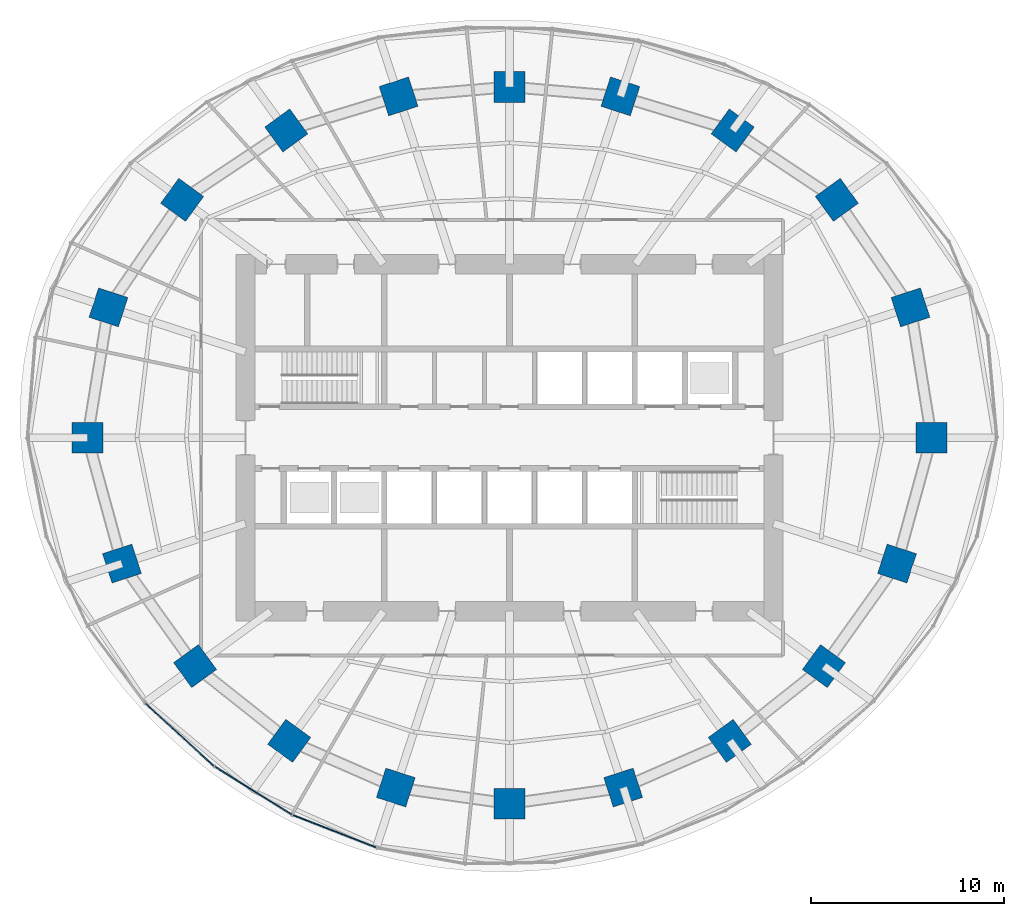
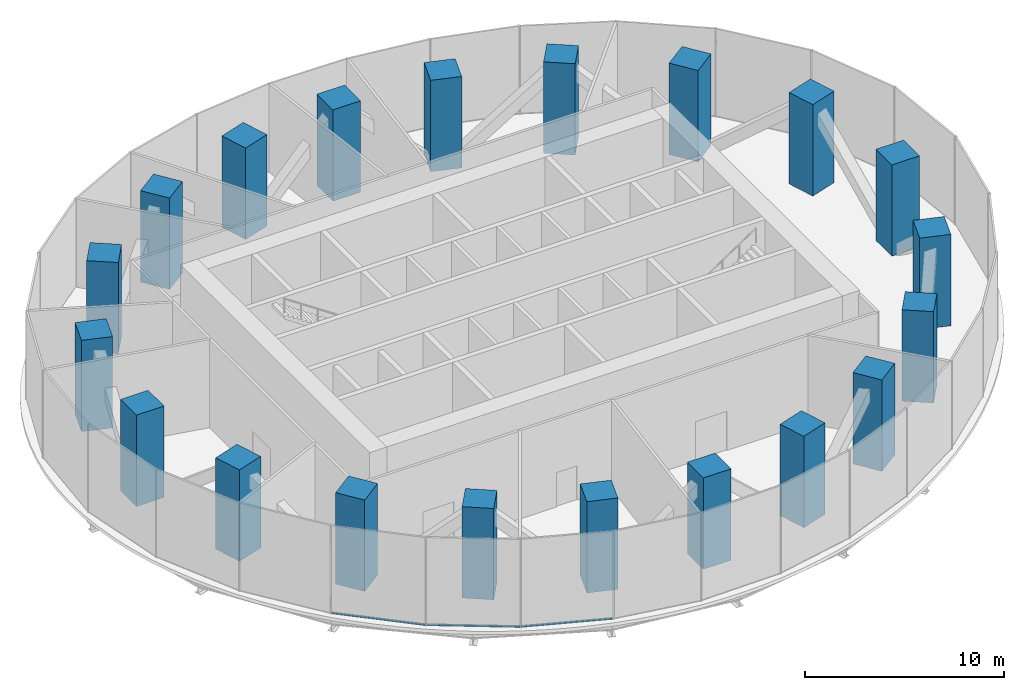
# One storey, part 1 of 14: 20 columns, 3 members, 2 elements without a shape of their own.
"""IFC4 building model written with IfcOpenShell, lengths in metres."""

from ifc_helpers import new_model, si_unit, direction, frame, origin, origin_2d, place, context, subcontext, project, spatial, rectangle, extrude, material, material_profile, profile_set, type_object, element, aggregate, save


model = new_model("IFC4")

# Units and contexts
model_context = context("Model", 3, precision=1e-05, world=origin(), true_north=direction((0.0, 1.0)))
body_context = subcontext(model_context, "Body", "Model", "MODEL_VIEW")
ifc_project = project(units=[si_unit("LENGTHUNIT", "METRE"), si_unit("AREAUNIT", "SQUARE_METRE"), si_unit("VOLUMEUNIT", "CUBIC_METRE"), si_unit("PLANEANGLEUNIT", "RADIAN"), si_unit("MASSUNIT", "GRAM", prefix="KILO")], contexts=[model_context])

# Site, building, storey
site_placement = place(None, origin())
site = spatial("IfcSite", under=ifc_project, at=site_placement, CompositionType="ELEMENT")
building_placement = place(site_placement, origin())
building = spatial("IfcBuilding", under=site, at=building_placement, Name="Marramba Exchange Tower", CompositionType="ELEMENT")
storey_placement = place(building_placement, frame((0.0, 0.0, 166.5)))
storey = spatial("IfcBuildingStorey", under=building, at=storey_placement, Name="L40", CompositionType="ELEMENT", Elevation=166.5)

# Columns
ifc_material_1 = material(Name="Concrete N50", Category="concrete")
ifc_material_profile_1 = material_profile(ifc_material_1, rectangle(XDim=1.60009765625, YDim=1.60009765625, at=origin_2d()), Name="RC 1600x1600")
ifc_profile_set_1 = profile_set([ifc_material_profile_1], Name="Concrete N50")
column_type = type_object("IfcColumnType", Name="Perimeter column RC 1600x1600 N50", PredefinedType="COLUMN", material=ifc_profile_set_1)
for number, where, z_axis, x_axis, name in (
    (1, (21.89990234375, 0.0, 0.0), (0.0, 0.0, 1.0), (1.0, 0.0, 0.0), "Column TC01 L40"),
    (2, (20.808349609375, 6.760986328125, 0.0), (0.0, 0.0, 1.0), (0.951056516295, 0.309016994375, 0.0), "Column TC02 L40"),
    (3, (16.98583984375, 12.3408203125, 0.0), (0.0, 0.0, 1.0), (0.809016994375, 0.587785252292, 0.0), "Column TC03 L40"),
    (4, (11.581298828125, 15.9404296875, 0.0), (0.0, 0.0, 1.0), (0.587785252292, 0.809016994375, 0.0), "Column TC04 L40"),
    (5, (5.75390625, 17.70849609375, 0.0), (0.0, 0.0, 1.0), (0.309016994375, 0.951056516295, 0.0), "Column TC05 L40"),
    (6, (0.0, 18.2041015625, 0.0), (0.0, 0.0, 1.0), (0.0, 1.0, 0.0), "Column TC06 L40"),
    (7, (-5.75390625, 17.70849609375, 0.0), (0.0, 0.0, 1.0), (-0.309016994375, 0.951056516295, 0.0), "Column TC07 L40"),
    (8, (-11.581298828125, 15.9404296875, 0.0), (0.0, 0.0, 1.0), (-0.587785252292, 0.809016994375, 0.0), "Column TC08 L40"),
    (9, (-16.98583984375, 12.3408203125, 0.0), (0.0, 0.0, 1.0), (-0.809016994375, 0.587785252292, 0.0), "Column TC09 L40"),
    (10, (-20.808349609375, 6.760986328125, 0.0), (0.0, 0.0, 1.0), (-0.951056516295, 0.309016994375, 0.0), "Column TC10 L40"),
    (11, (-21.89990234375, 0.0, 0.0), (0.0, 0.0, 1.0), (-1.0, 0.0, 0.0), "Column TC11 L40"),
    (12, (-20.109375, -6.533935546875, 0.0), (0.0, 0.0, 1.0), (-0.951056516295, -0.309016994375, 0.0), "Column TC12 L40"),
    (13, (-16.3154296875, -11.853759765625, 0.0), (0.0, 0.0, 1.0), (-0.809016994375, -0.587785252292, 0.0), "Column TC13 L40"),
    (14, (-11.430419921875, -15.732666015625, 0.0), (0.0, 0.0, 1.0), (-0.587785252292, -0.809016994375, 0.0), "Column TC14 L40"),
    (15, (-5.899658203125, -18.156982421875, 0.0), (0.0, 0.0, 1.0), (-0.309016994375, -0.951056516295, 0.0), "Column TC15 L40"),
    (16, (0.0, -18.99609375, 0.0), (0.0, 0.0, 1.0), (0.0, -1.0, 0.0), "Column TC16 L40"),
    (17, (5.899658203125, -18.156982421875, 0.0), (0.0, 0.0, 1.0), (0.309016994375, -0.951056516295, 0.0), "Column TC17 L40"),
    (18, (11.430419921875, -15.732666015625, 0.0), (0.0, 0.0, 1.0), (0.587785252292, -0.809016994375, 0.0), "Column TC18 L40"),
    (19, (16.3154296875, -11.853759765625, 0.0), (0.0, 0.0, 1.0), (0.809016994375, -0.587785252292, 0.0), "Column TC19 L40"),
    (20, (20.109375, -6.533935546875, 0.0), (0.0, 0.0, 1.0), (0.951056516295, -0.309016994375, 0.0), "Column TC20 L40"),
):
    element("IfcColumn", number, at=place(storey_placement, frame(where, z_axis=z_axis, x_axis=x_axis)), inside=storey, type_object=column_type, Name=name, PredefinedType="COLUMN", context=body_context, shape_type="SweptSolid", body=[
        extrude(rectangle(XDim=1.60009765625, YDim=1.60009765625, at=origin_2d()), origin(), (0.0, 0.0, 1.0), 5.60009765625),
    ])

# Curtain wall, members
ifc_material_2 = material(Name="Aluminium framing, bronze anodised", Category="aluminium")
curtain_wall_type = type_object("IfcCurtainWallType", Name="Plant floor louvred curtain wall", PredefinedType="USERDEFINED", material=ifc_material_2)
curtain_wall_1_placement = place(storey_placement, origin())
curtain_wall_1 = element("IfcCurtainWall", 21, at=curtain_wall_1_placement, inside=storey, type_object=curtain_wall_type, Name="Curtain wall CW6 L40 F16-F20", ObjectType="RIBBON CURTAIN WALL", PredefinedType="USERDEFINED")
ifc_material_3 = material(Name="Aluminium transom, bronze anodised", Category="aluminium")
ifc_material_profile_2 = material_profile(ifc_material_3, rectangle(XDim=0.06005859375, YDim=0.1201171875, at=origin_2d()), Name="CW6 transom 60x120")
ifc_profile_set_2 = profile_set([ifc_material_profile_2], Name="Aluminium transom, bronze anodised")
member_type = type_object("IfcMemberType", Name="Plant floor louvred curtain wall transom", PredefinedType="USERDEFINED", material=ifc_profile_set_2)
member_1_placement = place(storey_placement, frame((-18.886474609375, -13.79443359375, 0.030029296875), z_axis=(0.737807565469, -0.675011108306, 0.0), x_axis=(0.675011108306, 0.737807565469, 0.0)))
member_1 = element("IfcMember", 22, at=member_1_placement, type_object=member_type, Name="CW6 sill transom", ObjectType="TRANSOM", PredefinedType="USERDEFINED", context=body_context, shape_type="SweptSolid", body=[
    extrude(rectangle(XDim=0.06005859375, YDim=0.1201171875, at=origin_2d()), origin(), (0.0, 0.0, 1.0), 4.805419921875),
])
member_2_placement = place(storey_placement, frame((-15.2900390625, -17.06982421875, 0.030029296875), z_axis=(0.848373790728, -0.529397687193, 0.0), x_axis=(0.529397687193, 0.848373790728, 0.0)))
member_2 = element("IfcMember", 23, at=member_2_placement, type_object=member_type, Name="CW6 sill transom", ObjectType="TRANSOM", PredefinedType="USERDEFINED", context=body_context, shape_type="SweptSolid", body=[
    extrude(rectangle(XDim=0.06005859375, YDim=0.1201171875, at=origin_2d()), origin(), (0.0, 0.0, 1.0), 4.70947265625),
])
aggregate(curtain_wall_1, [member_1, member_2])

# Curtain wall, member
curtain_wall_2_placement = place(storey_placement, origin())
curtain_wall_2 = element("IfcCurtainWall", 24, at=curtain_wall_2_placement, inside=storey, type_object=curtain_wall_type, Name="Curtain wall CW6 L40 F21-F25", ObjectType="RIBBON CURTAIN WALL", PredefinedType="USERDEFINED")
member_3_placement = place(storey_placement, frame((-11.23876953125, -19.5849609375, 0.030029296875), z_axis=(0.931817106708, -0.362928201778, 0.0), x_axis=(0.362928201778, 0.931817106708, 0.0)))
member_3 = element("IfcMember", 25, at=member_3_placement, type_object=member_type, Name="CW6 sill transom", ObjectType="TRANSOM", PredefinedType="USERDEFINED", context=body_context, shape_type="SweptSolid", body=[
    extrude(rectangle(XDim=0.06005859375, YDim=0.1201171875, at=origin_2d()), origin(), (0.0, 0.0, 1.0), 4.644287109375),
])
aggregate(curtain_wall_2, [member_3])

save(model, "model.ifc")
